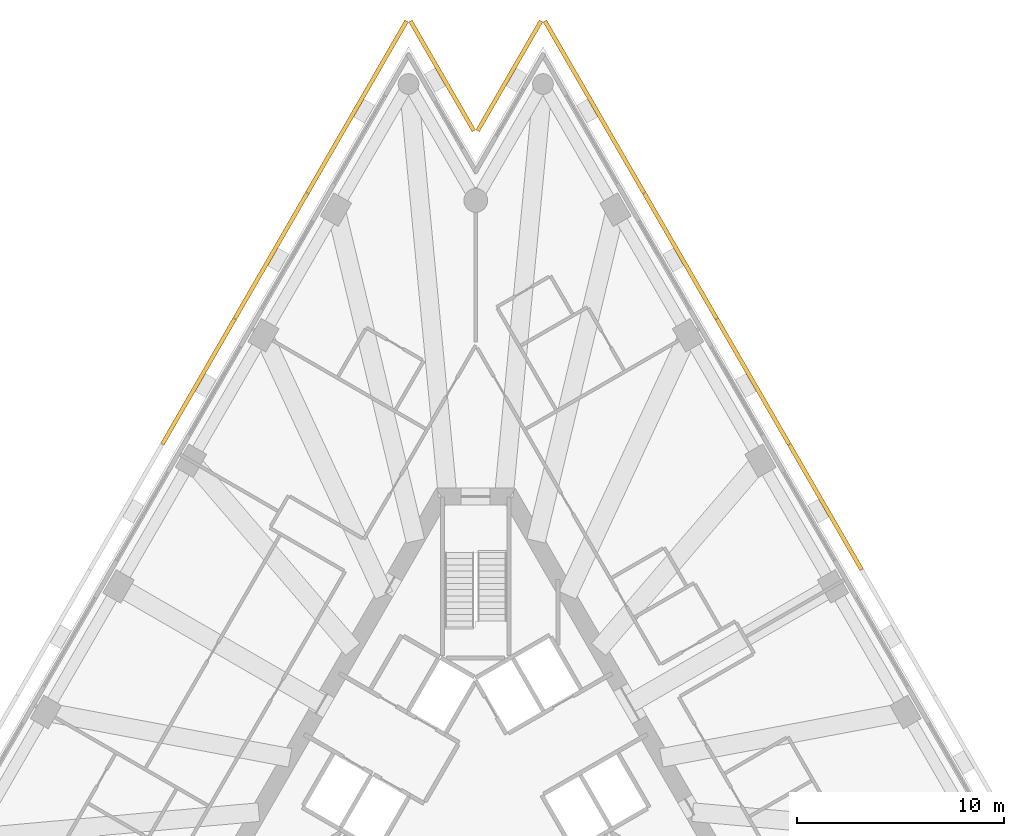
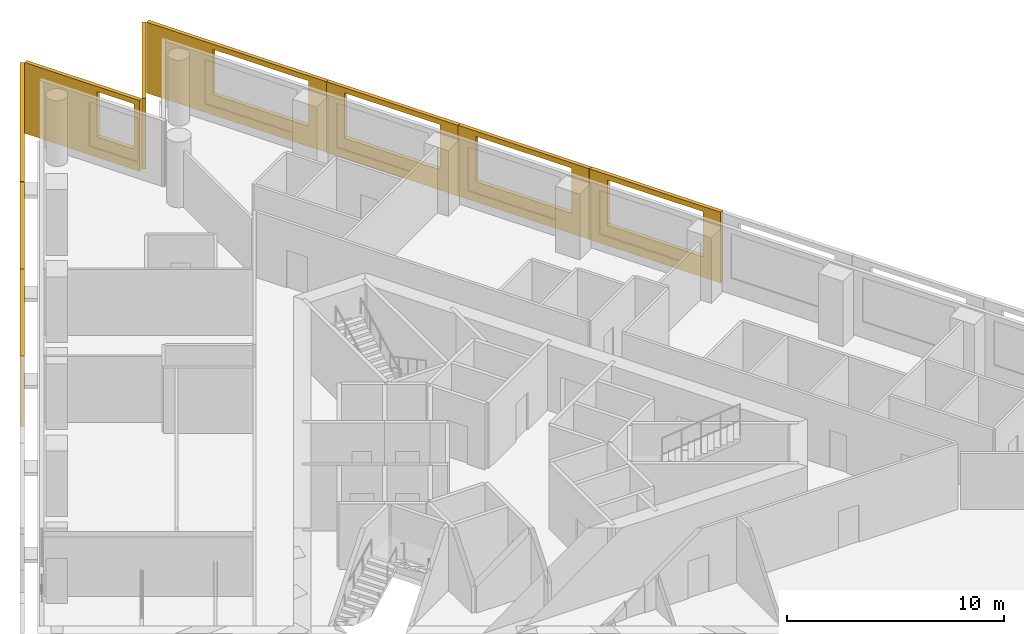
# One storey, part 10 of 10: 9 shading devices.
"""IFC4 building model written with IfcOpenShell, lengths in metres."""

import ifcopenshell
import ifcopenshell.guid

model = None  # the IFC model being written
_history = None  # IfcOwnerHistory: only IFC2X3 demands one
_inside = {}  # id of a spatial element -> (the spatial element, [elements in it])
_under = {}  # id of a project, library or spatial element -> (it, [spatial elements below it])
_declared = {}  # id of a project -> (the project, [libraries it declares])
_typed = {}  # id of a type object -> (the type object, [elements of that type])
_made_of = {}  # id of a material, layer set ... -> (it, [elements and type objects made of it])


def new_model(schema):
    """Start an empty IFC model of exactly this schema.

    Asked for "IFC4X3", IfcOpenShell would pick the latest addendum, in which some entities
    have other attributes; the version numbers below select the first issue.
    IFC2X3 requires an IfcOwnerHistory on every rooted entity: one is made here for all.
    """
    global model, _history
    if schema == "IFC4X3":
        model = ifcopenshell.file(schema_version=(4, 3, 0, 0))
    else:
        model = ifcopenshell.file(schema=schema)
    _inside.clear()
    _under.clear()
    _declared.clear()
    _typed.clear()
    _made_of.clear()
    _history = None
    if model.schema == "IFC2X3":
        org = make("IfcOrganization", Name="unknown")
        user = make(
            "IfcPersonAndOrganization",
            ThePerson=make("IfcPerson", FamilyName="unknown"),
            TheOrganization=org,
        )
        app = make(
            "IfcApplication",
            ApplicationDeveloper=org,
            Version="unknown",
            ApplicationFullName="unknown",
            ApplicationIdentifier="unknown",
        )
        _history = make(
            "IfcOwnerHistory",
            OwningUser=user,
            OwningApplication=app,
            ChangeAction="ADDED",
            CreationDate=0,
        )
    return model


def make(cls, **values):
    """One entity of the class cls with the attributes given. An attribute that is None is left unset."""
    return model.create_entity(
        cls, **{name: value for name, value in values.items() if value is not None}
    )


def rooted(cls, **values):
    """An entity with a GlobalId (a new one), such as an element, a storey or a relation."""
    return make(cls, GlobalId=ifcopenshell.guid.new(), OwnerHistory=_history, **values)


def si_unit(unit_type, name, prefix=None):
    """IfcSIUnit, for example si_unit("LENGTHUNIT", "METRE", prefix="MILLI")."""
    return make("IfcSIUnit", UnitType=unit_type, Prefix=prefix, Name=name)


def assignment(units):
    """IfcUnitAssignment: the units of a project."""
    return None if units is None else make("IfcUnitAssignment", Units=units)


def point(xyz):
    """IfcCartesianPoint."""
    return None if xyz is None else make("IfcCartesianPoint", Coordinates=xyz)


def direction(xyz):
    """IfcDirection."""
    return None if xyz is None else make("IfcDirection", DirectionRatios=xyz)


def frame(location, z_axis=None, x_axis=None):
    """IfcAxis2Placement3D, a coordinate frame: its origin and axes. An axis left out is left unset."""
    return make(
        "IfcAxis2Placement3D",
        Location=point(location),
        Axis=direction(z_axis),
        RefDirection=direction(x_axis),
    )


def origin():
    """The frame at (0, 0, 0) with its axes left unset."""
    return frame((0.0, 0.0, 0.0))


def place(relative_to, where):
    """IfcLocalPlacement: puts the frame where relative to a parent placement (None: the world)."""
    return make(
        "IfcLocalPlacement", PlacementRelTo=relative_to, RelativePlacement=where
    )


def context(
    kind, dimensions, precision=None, world=None, true_north=None, identifier=None
):
    """IfcGeometricRepresentationContext, for example the 3D "Model" context."""
    return make(
        "IfcGeometricRepresentationContext",
        ContextIdentifier=identifier,
        ContextType=kind,
        CoordinateSpaceDimension=dimensions,
        Precision=precision,
        WorldCoordinateSystem=world,
        TrueNorth=true_north,
    )


def subcontext(parent, identifier, kind, view, scale=None):
    """IfcGeometricRepresentationSubContext, for example "Body" below "Model"."""
    return make(
        "IfcGeometricRepresentationSubContext",
        ContextIdentifier=identifier,
        ContextType=kind,
        ParentContext=parent,
        TargetScale=scale,
        TargetView=view,
    )


def project(units=None, contexts=None):
    """IfcProject with its units and contexts."""
    return rooted(
        "IfcProject",
        Name="project",
        RepresentationContexts=contexts,
        UnitsInContext=assignment(units),
    )


def spatial(cls, under=None, at=None, **own):
    """A site, building, storey or space (cls), placed at a placement, below another one or the project."""
    s = rooted(cls, ObjectPlacement=at, **own)
    if under is not None:
        _under.setdefault(under.id(), (under, []))[1].append(s)
    return s


def polyline(points):
    """IfcPolyline through the points."""
    return make("IfcPolyline", Points=[point(p) for p in points])


def outline(outer, holes=None, kind="AREA"):
    """IfcArbitraryClosedProfileDef: a profile drawn as a closed curve; with holes, ...WithVoids."""
    if holes is None:
        return make("IfcArbitraryClosedProfileDef", ProfileType=kind, OuterCurve=outer)
    return make(
        "IfcArbitraryProfileDefWithVoids",
        ProfileType=kind,
        OuterCurve=outer,
        InnerCurves=holes,
    )


def extrude(swept, where, along, depth):
    """IfcExtrudedAreaSolid: the profile swept, set in the frame where, extruded along a direction by depth."""
    return make(
        "IfcExtrudedAreaSolid",
        SweptArea=swept,
        Position=where,
        ExtrudedDirection=direction(along),
        Depth=depth,
    )


def shape(context_of_items, identifier, shape_type, items):
    """IfcShapeRepresentation: the items that make up one representation, for example the "Body"."""
    return make(
        "IfcShapeRepresentation",
        ContextOfItems=context_of_items,
        RepresentationIdentifier=identifier,
        RepresentationType=shape_type,
        Items=items,
    )


def material(Name=None, Category=None):
    """IfcMaterial."""
    return make("IfcMaterial", Name=Name, Category=Category)


def layer(
    of_material, thickness, ventilated=None, Name=None, Category=None, Priority=None
):
    """IfcMaterialLayer: one layer of a wall or slab, of a material (None: an air gap)."""
    return make(
        "IfcMaterialLayer",
        Material=of_material,
        LayerThickness=thickness,
        IsVentilated=ventilated,
        Name=Name,
        Category=Category,
        Priority=Priority,
    )


def layer_set(layers, Name=None):
    """IfcMaterialLayerSet."""
    return make("IfcMaterialLayerSet", MaterialLayers=layers, LayerSetName=Name)


def made_of(thing, what):
    """Note that an element or type object is made of a material, layer set ...; save() writes the relation."""
    if what is not None:
        _made_of.setdefault(what.id(), (what, []))[1].append(thing)
    return thing


def type_object(cls, material=None, **own):
    """A type object (cls), such as IfcWallType, which elements share."""
    return made_of(rooted(cls, **own), material)


def element(
    cls,
    number,
    at=None,
    inside=None,
    cuts=None,
    type_object=None,
    material=None,
    context=None,
    identifier="Body",
    shape_type=None,
    held_by="IfcProductDefinitionShape",
    body=None,
    shapes=None,
    **own,
):
    """One element of the class cls, such as IfcWall. Its Tag is "e" and its number.

    at: its placement. inside: the storey or other place that contains it. cuts: it is an
    opening in that element (IfcRelVoidsElement). A single representation is given by context,
    identifier, shape_type and body (its items); several are given by shapes. held_by: the class
    of the entity that holds the representations. save() writes the other relations.
    """
    e = rooted(cls, Tag="e%d" % number, ObjectPlacement=at, **own)
    if body is not None:
        shapes = [shape(context, identifier, shape_type, body)]
    if shapes is not None:
        e.Representation = make(held_by, Representations=shapes)
    if inside is not None:
        _inside.setdefault(inside.id(), (inside, []))[1].append(e)
    if cuts is not None:
        rooted(
            "IfcRelVoidsElement", RelatingBuildingElement=cuts, RelatedOpeningElement=e
        )
    if type_object is not None:
        _typed.setdefault(type_object.id(), (type_object, []))[1].append(e)
    return made_of(e, material)


def aggregate(whole, parts):
    """IfcRelAggregates: a whole, such as a stair, and the parts it consists of."""
    return rooted("IfcRelAggregates", RelatingObject=whole, RelatedObjects=parts)


def save(model, path):
    """Write the relations noted so far, then the file.

    IfcRelAggregates (storeys below a building ...), IfcRelContainedInSpatialStructure (elements
    in a storey), IfcRelDefinesByType, IfcRelAssociatesMaterial and IfcRelDeclares: one each for
    every whole, place, type object, material and project.
    """
    for whole, parts in _under.values():
        aggregate(whole, parts)
    for where, things in _inside.values():
        rooted(
            "IfcRelContainedInSpatialStructure",
            RelatedElements=things,
            RelatingStructure=where,
        )
    for kind, things in _typed.values():
        rooted("IfcRelDefinesByType", RelatedObjects=things, RelatingType=kind)
    for what, things in _made_of.values():
        rooted("IfcRelAssociatesMaterial", RelatedObjects=things, RelatingMaterial=what)
    for by, libraries in _declared.values():
        rooted("IfcRelDeclares", RelatingContext=by, RelatedDefinitions=libraries)
    model.write(path)


model = new_model("IFC4")

# Units and contexts
model_context = context("Model", 3, precision=1e-05, world=origin(), true_north=direction((0.0, 1.0)))
body_context = subcontext(model_context, "Body", "Model", "MODEL_VIEW")
ifc_project = project(units=[si_unit("LENGTHUNIT", "METRE"), si_unit("AREAUNIT", "SQUARE_METRE"), si_unit("VOLUMEUNIT", "CUBIC_METRE"), si_unit("PLANEANGLEUNIT", "RADIAN"), si_unit("MASSUNIT", "GRAM", prefix="KILO")], contexts=[model_context])

# Site, building, storey
site_placement = place(None, origin())
site = spatial("IfcSite", under=ifc_project, at=site_placement, CompositionType="ELEMENT")
building_placement = place(site_placement, origin())
building = spatial("IfcBuilding", under=site, at=building_placement, Name="Triada Interchange Tower", CompositionType="ELEMENT")
storey_placement = place(building_placement, frame((0.0, 0.0, 112.300048828125)))
storey = spatial("IfcBuildingStorey", under=building, at=storey_placement, Name="L25", CompositionType="ELEMENT", Elevation=112.300048828125)

# Shading devices
ifc_material = material(Name="Concrete C50/60 precast", Category="concrete")
ifc_layer_1 = layer(ifc_material, 0.02001953125, Name="Exposed aggregate face")
ifc_layer_2 = layer(ifc_material, 0.179931640625, Name="Precast concrete screen")
ifc_layer_set = layer_set([ifc_layer_1, ifc_layer_2], Name="Outer skin screen panel 3980")
shading_device_type = type_object("IfcShadingDeviceType", Name="Outer skin screen panel 3980", PredefinedType="SHUTTER", material=ifc_layer_set)
shading_device_1_placement = place(storey_placement, frame((-3.25, 37.2041015625, -0.2900390625), z_axis=(0.0, 0.0, 1.0), x_axis=(-0.500020270231, -0.866013700445, 0.0)))
element("IfcShadingDevice", 1, at=shading_device_1_placement, inside=storey, type_object=shading_device_type, Name="Outer skin screen panel L25 01", PredefinedType="SHUTTER", context=body_context, shape_type="SweptSolid", body=[
    extrude(outline(polyline([(0.0, 0.0), (9.57958984375, 0.0), (9.57958984375, 3.97998046875), (0.0, 3.97998046875), (0.0, 0.0)]), holes=[polyline([(3.53857421875, 1.139892578125), (3.53857421875, 3.68994140625), (8.638671875, 3.68994140625), (8.638671875, 1.139892578125), (3.53857421875, 1.139892578125)])]), frame((0.0, 0.0, 0.0), z_axis=(0.0, -1.0, 0.0), x_axis=(1.0, 0.0, 0.0)), (0.0, 0.0, 1.0), 0.199951171875),
])
shading_device_2_placement = place(storey_placement, frame((-8.050048828125, 28.89111328125, -0.2900390625), z_axis=(0.0, 0.0, 1.0), x_axis=(-0.499963579623, -0.866046430078, 0.0)))
element("IfcShadingDevice", 2, at=shading_device_2_placement, inside=storey, type_object=shading_device_type, Name="Outer skin screen panel L25 02", PredefinedType="SHUTTER", context=body_context, shape_type="SweptSolid", body=[
    extrude(outline(polyline([(0.0, 0.0), (6.982421875, 0.0), (6.982421875, 3.97998046875), (0.0, 3.97998046875), (0.0, 0.0)]), holes=[polyline([(0.94091796875, 1.139892578125), (0.94091796875, 3.68994140625), (6.040771484375, 3.68994140625), (6.040771484375, 1.139892578125), (0.94091796875, 1.139892578125)])]), frame((0.0, 0.0, 0.0), z_axis=(0.0, -1.0, 0.0), x_axis=(1.0, 0.0, 0.0)), (0.0, 0.0, 1.0), 0.199951171875),
])
shading_device_3_placement = place(storey_placement, frame((-11.551025390625, 22.826904296875, -0.2900390625), z_axis=(0.0, 0.0, 1.0), x_axis=(-0.5000392868, -0.866002720352, 0.0)))
element("IfcShadingDevice", 3, at=shading_device_3_placement, inside=storey, type_object=shading_device_type, Name="Outer skin screen panel L25 03", PredefinedType="SHUTTER", context=body_context, shape_type="SweptSolid", body=[
    extrude(outline(polyline([(0.0, 0.0), (6.9814453125, 0.0), (6.9814453125, 3.97998046875), (0.0, 3.97998046875), (0.0, 0.0)]), holes=[polyline([(0.941162109375, 1.139892578125), (0.941162109375, 3.68994140625), (6.041015625, 3.68994140625), (6.041015625, 1.139892578125), (0.941162109375, 1.139892578125)])]), frame((0.0, 0.0, 0.0), z_axis=(0.0, -1.0, 0.0), x_axis=(1.0, 0.0, 0.0)), (0.0, 0.0, 1.0), 0.199951171875),
])
shading_device_4_placement = place(storey_placement, frame((18.54296875, 10.717041015625, -0.2900390625), z_axis=(0.0, 0.0, 1.0), x_axis=(-0.49997871953, 0.866037689721, 0.0)))
element("IfcShadingDevice", 4, at=shading_device_4_placement, inside=storey, type_object=shading_device_type, Name="Outer skin screen panel L25 25", PredefinedType="SHUTTER", context=body_context, shape_type="SweptSolid", body=[
    extrude(outline(polyline([(0.0, 0.0), (6.982177734375, 0.0), (6.982177734375, 3.97998046875), (0.0, 3.97998046875), (0.0, 0.0)]), holes=[polyline([(0.9404296875, 1.139892578125), (0.9404296875, 3.68994140625), (6.04052734375, 3.68994140625), (6.04052734375, 1.139892578125), (0.9404296875, 1.139892578125)])]), frame((0.0, 0.0, 0.0), z_axis=(0.0, -1.0, 0.0), x_axis=(1.0, 0.0, 0.0)), (0.0, 0.0, 1.0), 0.199951171875),
])
shading_device_5_placement = place(storey_placement, frame((15.0419921875, 16.781005859375, -0.2900390625), z_axis=(0.0, 0.0, 1.0), x_axis=(-0.5000392868, 0.866002720352, 0.0)))
element("IfcShadingDevice", 5, at=shading_device_5_placement, inside=storey, type_object=shading_device_type, Name="Outer skin screen panel L25 26", PredefinedType="SHUTTER", context=body_context, shape_type="SweptSolid", body=[
    extrude(outline(polyline([(0.0, 0.0), (6.9814453125, 0.0), (6.9814453125, 3.97998046875), (0.0, 3.97998046875), (0.0, 0.0)]), holes=[polyline([(0.94091796875, 1.139892578125), (0.94091796875, 3.68994140625), (6.040771484375, 3.68994140625), (6.040771484375, 1.139892578125), (0.94091796875, 1.139892578125)])]), frame((0.0, 0.0, 0.0), z_axis=(0.0, -1.0, 0.0), x_axis=(1.0, 0.0, 0.0)), (0.0, 0.0, 1.0), 0.199951171875),
])
shading_device_6_placement = place(storey_placement, frame((11.541015625, 22.843994140625, -0.2900390625), z_axis=(0.0, 0.0, 1.0), x_axis=(-0.499963579623, 0.866046430078, 0.0)))
element("IfcShadingDevice", 6, at=shading_device_6_placement, inside=storey, type_object=shading_device_type, Name="Outer skin screen panel L25 27", PredefinedType="SHUTTER", context=body_context, shape_type="SweptSolid", body=[
    extrude(outline(polyline([(0.0, 0.0), (6.982421875, 0.0), (6.982421875, 3.97998046875), (0.0, 3.97998046875), (0.0, 0.0)]), holes=[polyline([(0.941162109375, 1.139892578125), (0.941162109375, 3.68994140625), (6.041015625, 3.68994140625), (6.041015625, 1.139892578125), (0.941162109375, 1.139892578125)])]), frame((0.0, 0.0, 0.0), z_axis=(0.0, -1.0, 0.0), x_axis=(1.0, 0.0, 0.0)), (0.0, 0.0, 1.0), 0.199951171875),
])
shading_device_7_placement = place(storey_placement, frame((8.0400390625, 28.907958984375, -0.2900390625), z_axis=(0.0, 0.0, 1.0), x_axis=(-0.500020270231, 0.866013700445, 0.0)))
element("IfcShadingDevice", 7, at=shading_device_7_placement, inside=storey, type_object=shading_device_type, Name="Outer skin screen panel L25 28", PredefinedType="SHUTTER", context=body_context, shape_type="SweptSolid", body=[
    extrude(outline(polyline([(0.0, 0.0), (9.57958984375, 0.0), (9.57958984375, 3.97998046875), (0.0, 3.97998046875), (0.0, 0.0)]), holes=[polyline([(0.9404296875, 1.139892578125), (0.9404296875, 3.68994140625), (6.040283203125, 3.68994140625), (6.040283203125, 1.139892578125), (0.9404296875, 1.139892578125)])]), frame((0.0, 0.0, 0.0), z_axis=(0.0, -1.0, 0.0), x_axis=(1.0, 0.0, 0.0)), (0.0, 0.0, 1.0), 0.199951171875),
])
shading_device_8_placement = place(storey_placement, frame((3.239990234375, 37.2041015625, -0.2900390625), z_axis=(0.0, 0.0, 1.0), x_axis=(-0.500110176223, -0.865961784167, 0.0)))
element("IfcShadingDevice", 8, at=shading_device_8_placement, inside=storey, type_object=shading_device_type, Name="Outer skin screen panel L25 29", PredefinedType="SHUTTER", context=body_context, shape_type="SweptSolid", body=[
    extrude(outline(polyline([(0.0, 0.0), (6.12255859375, 0.0), (6.12255859375, 3.97998046875), (0.0, 3.97998046875), (0.0, 0.0)]), holes=[polyline([(3.175537109375, 1.139892578125), (3.175537109375, 3.68994140625), (5.8232421875, 3.68994140625), (5.8232421875, 1.139892578125), (3.175537109375, 1.139892578125)])]), frame((0.0, 0.0, 0.0), z_axis=(0.0, -1.0, 0.0), x_axis=(1.0, 0.0, 0.0)), (0.0, 0.0, 1.0), 0.199951171875),
])
shading_device_9_placement = place(storey_placement, frame((-0.177978515625, 31.902099609375, -0.2900390625), z_axis=(0.0, 0.0, 1.0), x_axis=(-0.500110176223, 0.865961784167, 0.0)))
element("IfcShadingDevice", 9, at=shading_device_9_placement, inside=storey, type_object=shading_device_type, Name="Outer skin screen panel L25 30", PredefinedType="SHUTTER", context=body_context, shape_type="SweptSolid", body=[
    extrude(outline(polyline([(0.0, 0.0), (6.12255859375, 0.0), (6.12255859375, 3.97998046875), (0.0, 3.97998046875), (0.0, 0.0)]), holes=[polyline([(0.300048828125, 1.139892578125), (0.300048828125, 3.68994140625), (2.2578125, 3.68994140625), (2.2578125, 1.139892578125), (0.300048828125, 1.139892578125)])]), frame((0.0, 0.0, 0.0), z_axis=(0.0, -1.0, 0.0), x_axis=(1.0, 0.0, 0.0)), (0.0, 0.0, 1.0), 0.199951171875),
])

save(model, "model.ifc")
